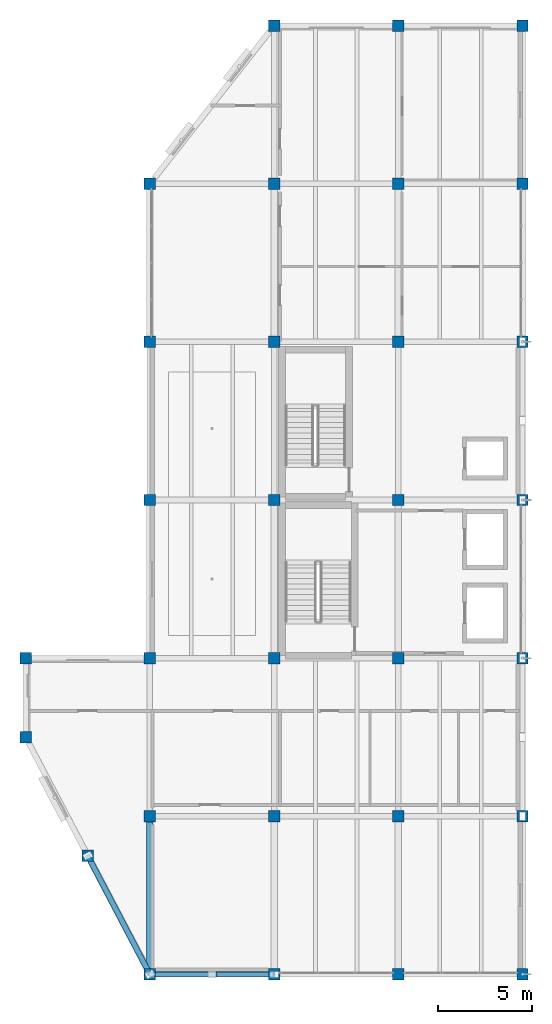
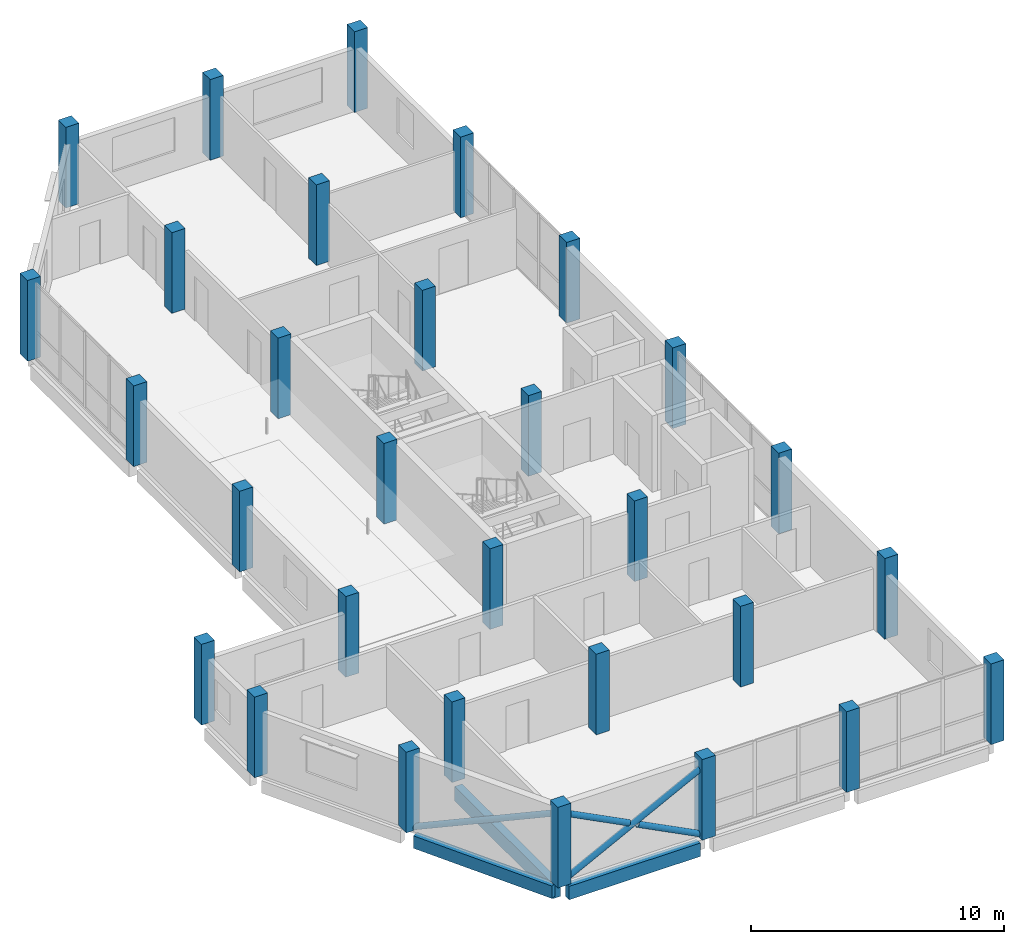
# One storey, part 1 of 12: 30 columns, 4 members, 3 beams.
"""IFC4 building model written with IfcOpenShell, lengths in metres."""

from ifc_helpers import new_model, si_unit, direction, frame, origin, origin_2d, place, context, subcontext, project, spatial, rectangle, hollow_circle, extrude, material, material_profile, profile_set, type_object, element, save


model = new_model("IFC4")

# Units and contexts
model_context = context("Model", 3, precision=1e-05, world=origin(), true_north=direction((0.0, 1.0)))
body_context = subcontext(model_context, "Body", "Model", "MODEL_VIEW")
ifc_project = project(units=[si_unit("LENGTHUNIT", "METRE"), si_unit("AREAUNIT", "SQUARE_METRE"), si_unit("VOLUMEUNIT", "CUBIC_METRE"), si_unit("PLANEANGLEUNIT", "RADIAN"), si_unit("MASSUNIT", "GRAM", prefix="KILO")], contexts=[model_context])

# Site, building, storey
site_placement = place(None, origin())
site = spatial("IfcSite", under=ifc_project, at=site_placement, CompositionType="ELEMENT")
building_placement = place(site_placement, origin())
building = spatial("IfcBuilding", under=site, at=building_placement, Name="Qaldarim Faculty of Natural and Applied Sciences", CompositionType="ELEMENT")
storey_placement = place(building_placement, frame((0.0, 0.0, 35.39990234375)))
storey = spatial("IfcBuildingStorey", under=building, at=storey_placement, Name="L08", CompositionType="ELEMENT", Elevation=35.39990234375)

# Columns
ifc_material_1 = material(Name="Concrete C50/60", Category="concrete")
ifc_material_profile_1 = material_profile(ifc_material_1, rectangle(XDim=0.60009765625, YDim=0.60009765625, at=origin_2d()), Name="RC-C600x600")
ifc_profile_set_1 = profile_set([ifc_material_profile_1], Name="Concrete C50/60")
column_type = type_object("IfcColumnType", Name="Column-RC600x600", PredefinedType="COLUMN", material=ifc_profile_set_1)
for number, where, z_axis, x_axis, name in (
    (1, (151.800048828125, 16.800048828125, 0.0), (0.0, 0.0, 1.0), (1.0, 0.0, 0.0), "Column X24/Y03 L08"),
    (2, (158.39990234375, 0.0, 0.0), (0.0, 0.0, 1.0), (1.0, 0.0, 0.0), "Column X25/Y01 L08"),
    (3, (158.39990234375, 8.39990234375, 0.0), (0.0, 0.0, 1.0), (1.0, 0.0, 0.0), "Column X25/Y02 L08"),
    (4, (158.39990234375, 16.800048828125, 0.0), (0.0, 0.0, 1.0), (1.0, 0.0, 0.0), "Column X25/Y03 L08"),
    (5, (158.39990234375, 25.199951171875, 0.0), (0.0, 0.0, 1.0), (1.0, 0.0, 0.0), "Column X25/Y04 L08"),
    (6, (158.39990234375, 33.60009765625, 0.0), (0.0, 0.0, 1.0), (1.0, 0.0, 0.0), "Column X25/Y05 L08"),
    (7, (158.39990234375, 42.0, 0.0), (0.0, 0.0, 1.0), (1.0, 0.0, 0.0), "Column X25/Y06 L08"),
    (8, (165.0, 0.0, 0.0), (0.0, 0.0, 1.0), (1.0, 0.0, 0.0), "Column X26/Y01 L08"),
    (9, (165.0, 8.39990234375, 0.0), (0.0, 0.0, 1.0), (1.0, 0.0, 0.0), "Column X26/Y02 L08"),
    (10, (165.0, 16.800048828125, 0.0), (0.0, 0.0, 1.0), (1.0, 0.0, 0.0), "Column X26/Y03 L08"),
    (11, (165.0, 25.199951171875, 0.0), (0.0, 0.0, 1.0), (1.0, 0.0, 0.0), "Column X26/Y04 L08"),
    (12, (165.0, 33.60009765625, 0.0), (0.0, 0.0, 1.0), (1.0, 0.0, 0.0), "Column X26/Y05 L08"),
    (13, (165.0, 42.0, 0.0), (0.0, 0.0, 1.0), (1.0, 0.0, 0.0), "Column X26/Y06 L08"),
    (14, (165.0, 50.39990234375, 0.0), (0.0, 0.0, 1.0), (1.0, 0.0, 0.0), "Column X26/Y07 L08"),
    (15, (171.60009765625, 0.0, 0.0), (0.0, 0.0, 1.0), (1.0, 0.0, 0.0), "Column X27/Y01 L08"),
    (16, (171.60009765625, 8.39990234375, 0.0), (0.0, 0.0, 1.0), (1.0, 0.0, 0.0), "Column X27/Y02 L08"),
    (17, (171.60009765625, 16.800048828125, 0.0), (0.0, 0.0, 1.0), (1.0, 0.0, 0.0), "Column X27/Y03 L08"),
    (18, (171.60009765625, 25.199951171875, 0.0), (0.0, 0.0, 1.0), (1.0, 0.0, 0.0), "Column X27/Y04 L08"),
    (19, (171.60009765625, 33.60009765625, 0.0), (0.0, 0.0, 1.0), (1.0, 0.0, 0.0), "Column X27/Y05 L08"),
    (20, (171.60009765625, 42.0, 0.0), (0.0, 0.0, 1.0), (1.0, 0.0, 0.0), "Column X27/Y06 L08"),
    (21, (171.60009765625, 50.39990234375, 0.0), (0.0, 0.0, 1.0), (1.0, 0.0, 0.0), "Column X27/Y07 L08"),
    (22, (178.199951171875, 0.0, 0.0), (0.0, 0.0, 1.0), (1.0, 0.0, 0.0), "Column X28/Y01 L08"),
    (23, (178.199951171875, 8.39990234375, 0.0), (0.0, 0.0, 1.0), (1.0, 0.0, 0.0), "Column X28/Y02 L08"),
    (24, (178.199951171875, 16.800048828125, 0.0), (0.0, 0.0, 1.0), (1.0, 0.0, 0.0), "Column X28/Y03 L08"),
    (25, (178.199951171875, 25.199951171875, 0.0), (0.0, 0.0, 1.0), (1.0, 0.0, 0.0), "Column X28/Y04 L08"),
    (26, (178.199951171875, 33.60009765625, 0.0), (0.0, 0.0, 1.0), (1.0, 0.0, 0.0), "Column X28/Y05 L08"),
    (27, (178.199951171875, 42.0, 0.0), (0.0, 0.0, 1.0), (1.0, 0.0, 0.0), "Column X28/Y06 L08"),
    (28, (178.199951171875, 50.39990234375, 0.0), (0.0, 0.0, 1.0), (1.0, 0.0, 0.0), "Column X28/Y07 L08"),
    (29, (151.800048828125, 12.60009765625, 0.0), (0.0, 0.0, 1.0), (1.0, 0.0, 0.0), "Special structural column V5-SW1 L08"),
    (30, (155.10009765625, 6.300048828125, 0.0), (0.0, 0.0, 1.0), (1.0, 0.0, 0.0), "Special structural column V5-SW2 L08"),
):
    element("IfcColumn", number, at=place(storey_placement, frame(where, z_axis=z_axis, x_axis=x_axis)), inside=storey, type_object=column_type, Name=name, PredefinedType="COLUMN", context=body_context, shape_type="SweptSolid", body=[
        extrude(rectangle(XDim=0.60009765625, YDim=0.60009765625, at=origin_2d()), origin(), (0.0, 0.0, 1.0), 3.900146484375),
    ])

# Members
ifc_material_2 = material(Name="Structural steel S355", Category="steel")
ifc_material_profile_2 = material_profile(ifc_material_2, hollow_circle(Radius=0.136474609375, WallThickness=0.01611328125, at=origin_2d()), Name="CHS 273.0x16.0")
ifc_profile_set_2 = profile_set([ifc_material_profile_2], Name="Structural steel S355")
member_type = type_object("IfcMemberType", Name="PortalBrace-CHS273x16", PredefinedType="BRACE", material=ifc_profile_set_2)
member_1_placement = place(storey_placement, frame((158.39990234375, 0.0, 0.0), z_axis=(0.890065845771, 0.0, 0.455831975834), x_axis=(0.0, 1.0, 0.0)))
element("IfcMember", 31, at=member_1_placement, inside=storey, type_object=member_type, Name="South diagrid L08 primary brace L", PredefinedType="BRACE", context=body_context, shape_type="SweptSolid", body=[
    extrude(hollow_circle(Radius=0.136474609375, WallThickness=0.01611328125, at=origin_2d()), origin(), (0.0, 0.0, 1.0), 7.415283203125),
])
for number, where, z_axis, x_axis, name in (
    (32, (165.0, 0.0, 0.0), (-0.890074529705, 0.0, 0.455815019026), (0.0, -1.0, 0.0), "South diagrid L08 split secondary lower brace R1"),
    (33, (161.5048828125, 0.0, 1.7900390625), (-0.890074529705, 0.0, 0.455815019026), (0.0, -1.0, 0.0), "South diagrid L08 split secondary upper brace R2"),
):
    element("IfcMember", number, at=place(storey_placement, frame(where, z_axis=z_axis, x_axis=x_axis)), inside=storey, type_object=member_type, Name=name, PredefinedType="BRACE", context=body_context, shape_type="SweptSolid", body=[
        extrude(hollow_circle(Radius=0.136474609375, WallThickness=0.01611328125, at=origin_2d()), origin(), (0.0, 0.0, 1.0), 3.488525390625),
    ])
member_2_placement = place(storey_placement, frame((155.10009765625, 6.300048828125, 0.0), z_axis=(0.41906012151, -0.800077421985, 0.429260682325), x_axis=(0.8858443012, 0.463982622554, 0.0)))
element("IfcMember", 34, at=member_2_placement, inside=storey, type_object=member_type, Name="Oblique SW chamfer exoskeleton brace L08 2", PredefinedType="BRACE", context=body_context, shape_type="SweptSolid", body=[
    extrude(hollow_circle(Radius=0.136474609375, WallThickness=0.01611328125, at=origin_2d()), origin(), (0.0, 0.0, 1.0), 7.874267578125),
])

# Beams
ifc_material_3 = material(Name="Concrete C40/50", Category="concrete")
ifc_material_profile_3 = material_profile(ifc_material_3, rectangle(XDim=0.300048828125, YDim=0.64990234375, at=origin_2d()), Name="RC-B300x650")
ifc_profile_set_3 = profile_set([ifc_material_profile_3], Name="Concrete C40/50")
beam_type_1 = type_object("IfcBeamType", Name="PrimaryBeam-RC300x650", PredefinedType="BEAM", material=ifc_profile_set_3)
beam_1_placement = place(storey_placement, frame((158.699951171875, 0.0, -0.544921875), z_axis=(1.0, 0.0, 0.0), x_axis=(0.0, 1.0, 0.0)))
element("IfcBeam", 35, at=beam_1_placement, inside=storey, type_object=beam_type_1, Name="Beam RC-B300x650 L07 X25-X26/Y01", PredefinedType="BEAM", context=body_context, shape_type="SweptSolid", body=[
    extrude(rectangle(XDim=0.300048828125, YDim=0.64990234375, at=origin_2d()), origin(), (0.0, 0.0, 1.0), 6.0),
])
ifc_material_profile_4 = material_profile(ifc_material_3, rectangle(XDim=0.35009765625, YDim=0.699951171875, at=origin_2d()), Name="RC-B350x700")
ifc_profile_set_4 = profile_set([ifc_material_profile_4], Name="Concrete C40/50")
beam_type_2 = type_object("IfcBeamType", Name="PrimaryGirder-RC350x700", PredefinedType="BEAM", material=ifc_profile_set_4)
beam_2_placement = place(storey_placement, frame((158.39990234375, 0.300048828125, -0.56982421875), z_axis=(0.0, 1.0, 0.0), x_axis=(-1.0, 0.0, 0.0)))
element("IfcBeam", 36, at=beam_2_placement, inside=storey, type_object=beam_type_2, Name="Beam RC-B350x700 L07 X25/Y01-Y02", PredefinedType="BEAM", context=body_context, shape_type="SweptSolid", body=[
    extrude(rectangle(XDim=0.35009765625, YDim=0.699951171875, at=origin_2d()), origin(), (0.0, 0.0, 1.0), 7.800048828125),
])
ifc_material_4 = material(Name="Precast concrete C40/50", Category="concrete")
ifc_material_profile_5 = material_profile(ifc_material_4, rectangle(XDim=0.300048828125, YDim=0.60009765625, at=origin_2d()), Name="RC-SP300x600")
ifc_profile_set_5 = profile_set([ifc_material_profile_5], Name="Precast concrete C40/50")
beam_type_3 = type_object("IfcBeamType", Name="SpandrelBeam-RC300x600", PredefinedType="SPANDREL", material=ifc_profile_set_5)
beam_3_placement = place(storey_placement, frame((155.239990234375, 6.030029296875, -0.52001953125), z_axis=(0.464353423794, -0.885649986061, 0.0), x_axis=(0.885649986061, 0.464353423794, 0.0)))
element("IfcBeam", 37, at=beam_3_placement, inside=storey, type_object=beam_type_3, Name="Oblique SW chamfer spandrel L07 3", PredefinedType="SPANDREL", context=body_context, shape_type="SweptSolid", body=[
    extrude(rectangle(XDim=0.300048828125, YDim=0.60009765625, at=origin_2d()), origin(), (0.0, 0.0, 1.0), 6.503662109375),
])

save(model, "model.ifc")
